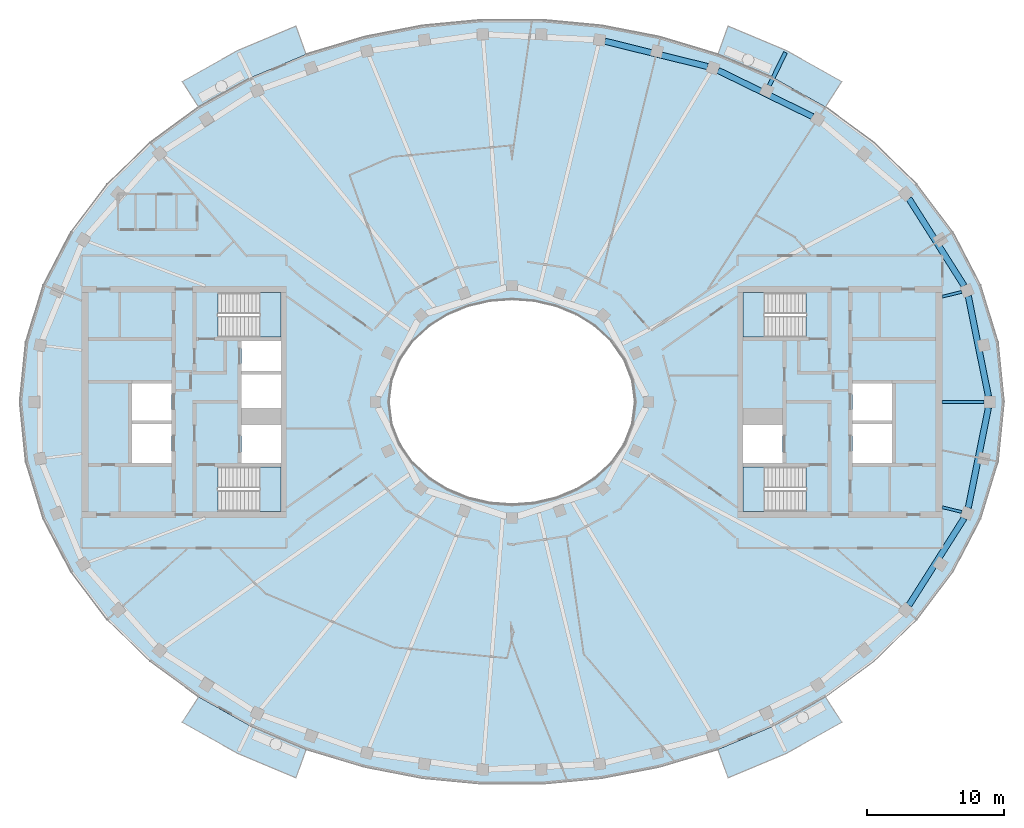
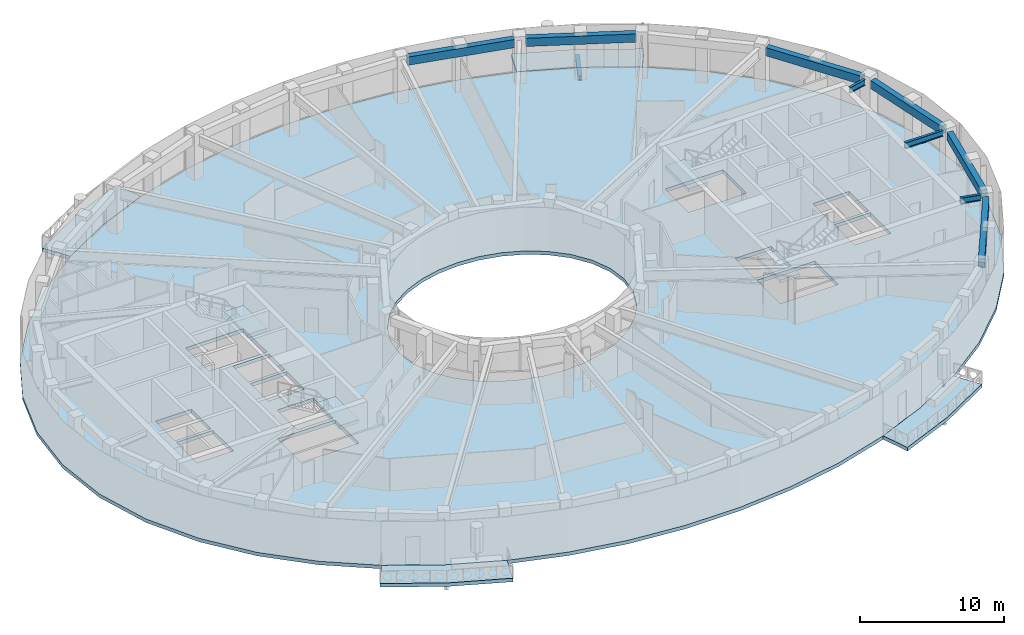
# One storey, part 2 of 18: 10 beams, 9 slabs, 4 elements without a shape of their own.
"""IFC4 building model written with IfcOpenShell, lengths in metres."""

from ifc_helpers import new_model, si_unit, direction, frame, origin, origin_2d, place, context, subcontext, project, spatial, polyline, rectangle, i_section, outline, extrude, material, layer, layer_set, material_profile, profile_set, type_object, element, aggregate, save


model = new_model("IFC4")

# Units and contexts
model_context = context("Model", 3, precision=1e-05, world=origin(), true_north=direction((0.0, 1.0)))
body_context = subcontext(model_context, "Body", "Model", "MODEL_VIEW")
ifc_project = project(units=[si_unit("LENGTHUNIT", "METRE"), si_unit("AREAUNIT", "SQUARE_METRE"), si_unit("VOLUMEUNIT", "CUBIC_METRE"), si_unit("PLANEANGLEUNIT", "RADIAN"), si_unit("MASSUNIT", "GRAM", prefix="KILO")], contexts=[model_context])

# Site, building, storey
site_placement = place(None, origin())
site = spatial("IfcSite", under=ifc_project, at=site_placement, CompositionType="ELEMENT")
building_placement = place(site_placement, origin())
building = spatial("IfcBuilding", under=site, at=building_placement, Name="Noorbagh Ring Tower", CompositionType="ELEMENT")
storey_placement = place(building_placement, frame((0.0, 0.0, 319.0)))
storey = spatial("IfcBuildingStorey", under=building, at=storey_placement, Name="L69", CompositionType="ELEMENT", Elevation=319.0)

# Beams
ifc_material_1 = material(Name="Steel S355", Category="steel")
ifc_material_profile_1 = material_profile(ifc_material_1, i_section(OverallWidth=0.300048828125, OverallDepth=0.39990234375, WebThickness=0.013427734375, FlangeThickness=0.02392578125, FilletRadius=0.027099609375, at=origin_2d()), Name="HEB400")
ifc_profile_set_1 = profile_set([ifc_material_profile_1], Name="Steel S355")
beam_type_1 = type_object("IfcBeamType", Name="STR-BALCONY-BRACKET-HEB400", PredefinedType="BEAM", material=ifc_profile_set_1)
beam_1_placement = place(storey_placement, frame((18.82421875, 23.149169921875, -0.5), z_axis=(0.439239321367, 0.898370089977, 0.0), x_axis=(-0.898370089977, 0.439239321367, 0.0)))
element("IfcBeam", 1, at=beam_1_placement, inside=storey, type_object=beam_type_1, Name="Balcony bracket beam BN02", PredefinedType="BEAM", context=body_context, shape_type="SweptSolid", body=[
    extrude(i_section(OverallWidth=0.300048828125, OverallDepth=0.39990234375, WebThickness=0.013427734375, FlangeThickness=0.02392578125, FilletRadius=0.027099609375, at=origin_2d()), origin(), (0.0, 0.0, 1.0), 2.7001953125),
])
ifc_material_2 = material(Name="Steel S355", Category="steel")
ifc_material_profile_2 = material_profile(ifc_material_2, i_section(OverallWidth=0.199951171875, OverallDepth=0.5, WebThickness=0.01025390625, FlangeThickness=0.01611328125, FilletRadius=0.02099609375, at=origin_2d()), Name="IPE500")
ifc_profile_set_2 = profile_set([ifc_material_profile_2], Name="Steel S355")
beam_type_2 = type_object("IfcBeamType", Name="STR-RAD-IPE500", PredefinedType="BEAM", material=ifc_profile_set_2)
beam_2_placement = place(storey_placement, frame((34.539794921875, 0.0, 3.449951171875), z_axis=(-1.0, 0.0, 0.0), x_axis=(0.0, -1.0, 0.0)))
element("IfcBeam", 2, at=beam_2_placement, inside=storey, type_object=beam_type_2, Name="L69/bm/RD01", PredefinedType="BEAM", context=body_context, shape_type="SweptSolid", body=[
    extrude(i_section(OverallWidth=0.199951171875, OverallDepth=0.5, WebThickness=0.01025390625, FlangeThickness=0.01611328125, FilletRadius=0.02099609375, at=origin_2d()), origin(), (0.0, 0.0, 1.0), 3.059814453125),
])
for number, where, z_axis, x_axis, name in (
    (3, (32.9072265625, 8.052001953125, 3.449951171875), (-0.971342749116, -0.237683116228, 0.0), (0.237683116228, -0.971342749116, 0.0), "L69/bm/RD03"),
    (4, (32.9072265625, -8.052001953125, 3.449951171875), (-0.971342749116, 0.237683116228, 0.0), (-0.237683116228, -0.971342749116, 0.0), "L69/bm/RD45"),
):
    element("IfcBeam", number, at=place(storey_placement, frame(where, z_axis=z_axis, x_axis=x_axis)), inside=storey, type_object=beam_type_2, Name=name, PredefinedType="BEAM", context=body_context, shape_type="SweptSolid", body=[
        extrude(i_section(OverallWidth=0.199951171875, OverallDepth=0.5, WebThickness=0.01025390625, FlangeThickness=0.01611328125, FilletRadius=0.02099609375, at=origin_2d()), origin(), (0.0, 0.0, 1.0), 1.46875),
    ])
ifc_material_3 = material(Name="Concrete C40/50", Category="concrete")
ifc_material_profile_3 = material_profile(ifc_material_3, rectangle(XDim=0.449951171875, YDim=0.699951171875, at=origin_2d()), Name="RC450x700")
ifc_profile_set_3 = profile_set([ifc_material_profile_3], Name="Concrete C40/50")
beam_type_3 = type_object("IfcBeamType", Name="STR-SB-RC450x700-C40-50", PredefinedType="BEAM", material=ifc_profile_set_3)
beam_3_placement = place(storey_placement, frame((34.863037109375, 0.4052734375, 3.35009765625), z_axis=(-0.197200970376, 0.980363084414, 0.0), x_axis=(-0.980363084414, -0.197200970376, 0.0)))
element("IfcBeam", 5, at=beam_3_placement, inside=storey, type_object=beam_type_3, Name="L69/bm/SP01", PredefinedType="BEAM", context=body_context, shape_type="SweptSolid", body=[
    extrude(rectangle(XDim=0.449951171875, YDim=0.699951171875, at=origin_2d()), origin(), (0.0, 0.0, 1.0), 7.486328125),
])
beam_4_placement = place(storey_placement, frame((33.0849609375, 8.4970703125, 3.35009765625), z_axis=(-0.535190354095, 0.844731486855, 0.0), x_axis=(-0.844731486855, -0.535190354095, 0.0)))
element("IfcBeam", 6, at=beam_4_placement, inside=storey, type_object=beam_type_3, Name="L69/bm/SP03", PredefinedType="BEAM", context=body_context, shape_type="SweptSolid", body=[
    extrude(rectangle(XDim=0.449951171875, YDim=0.699951171875, at=origin_2d()), origin(), (0.0, 0.0, 1.0), 7.560546875),
])
beam_5_placement = place(storey_placement, frame((21.99560546875, 20.879150390625, 3.35009765625), z_axis=(-0.898397700963, 0.439182844501, 0.0), x_axis=(-0.439182844501, -0.898397700963, 0.0)))
element("IfcBeam", 7, at=beam_5_placement, inside=storey, type_object=beam_type_3, Name="L69/bm/SP07", PredefinedType="BEAM", context=body_context, shape_type="SweptSolid", body=[
    extrude(rectangle(XDim=0.449951171875, YDim=0.699951171875, at=origin_2d()), origin(), (0.0, 0.0, 1.0), 7.70263671875),
])
beam_6_placement = place(storey_placement, frame((14.314208984375, 24.53857421875, 3.35009765625), z_axis=(-0.970829204931, 0.239772089397, 0.0), x_axis=(-0.239772089397, -0.970829204931, 0.0)))
element("IfcBeam", 8, at=beam_6_placement, inside=storey, type_object=beam_type_3, Name="L69/bm/SP09", PredefinedType="BEAM", context=body_context, shape_type="SweptSolid", body=[
    extrude(rectangle(XDim=0.449951171875, YDim=0.699951171875, at=origin_2d()), origin(), (0.0, 0.0, 1.0), 7.7353515625),
])
beam_7_placement = place(storey_placement, frame((29.03857421875, -14.8837890625, 3.35009765625), z_axis=(0.535190354095, 0.844731486855, 0.0), x_axis=(-0.844731486855, 0.535190354095, 0.0)))
element("IfcBeam", 9, at=beam_7_placement, inside=storey, type_object=beam_type_3, Name="L69/bm/SP43", PredefinedType="BEAM", context=body_context, shape_type="SweptSolid", body=[
    extrude(rectangle(XDim=0.449951171875, YDim=0.699951171875, at=origin_2d()), origin(), (0.0, 0.0, 1.0), 7.560546875),
])
beam_8_placement = place(storey_placement, frame((33.38671875, -7.74462890625, 3.35009765625), z_axis=(0.197200970376, 0.980363084414, 0.0), x_axis=(-0.980363084414, 0.197200970376, 0.0)))
element("IfcBeam", 10, at=beam_8_placement, inside=storey, type_object=beam_type_3, Name="L69/bm/SP45", PredefinedType="BEAM", context=body_context, shape_type="SweptSolid", body=[
    extrude(rectangle(XDim=0.449951171875, YDim=0.699951171875, at=origin_2d()), origin(), (0.0, 0.0, 1.0), 7.486328125),
])

# Stair, slab
ifc_material_4 = material(Name="Concrete C40/50", Category="concrete")
stair_type = type_object("IfcStairType", Name="CORE-STAIR", PredefinedType="HALF_TURN_STAIR", material=ifc_material_4)
stair_1_placement = place(storey_placement, origin())
stair_1 = element("IfcStair", 11, at=stair_1_placement, inside=storey, type_object=stair_type, Name="L69 Exit stair ST1", PredefinedType="HALF_TURN_STAIR")
ifc_material_5 = material(Name="Concrete C40/50", Category="concrete")
ifc_layer_1 = layer(ifc_material_5, 0.300048828125)
ifc_layer_set_1 = layer_set([ifc_layer_1], Name="Concrete C40/50")
slab_type_1 = type_object("IfcSlabType", Name="CORE-STAIR-LANDING", PredefinedType="LANDING", material=ifc_layer_set_1)
slab_1_placement = place(storey_placement, frame((0.0, 0.0, 1.699951171875)))
slab_1 = element("IfcSlab", 12, at=slab_1_placement, type_object=slab_type_1, Name="ST1 landing 1", PredefinedType="LANDING", context=body_context, shape_type="SweptSolid", body=[
    extrude(outline(polyline([(-18.449951171875, 4.75), (-16.89990234375, 4.75), (-16.89990234375, 8.0), (-18.449951171875, 8.0), (-18.449951171875, 4.75)])), origin(), (0.0, 0.0, 1.0), 0.300048828125),
])
aggregate(stair_1, [slab_1])

stair_2_placement = place(storey_placement, origin())
stair_2 = element("IfcStair", 13, at=stair_2_placement, inside=storey, type_object=stair_type, Name="L69 Exit stair ST2", PredefinedType="HALF_TURN_STAIR")
slab_2_placement = place(storey_placement, frame((0.0, 0.0, 1.699951171875)))
slab_2 = element("IfcSlab", 14, at=slab_2_placement, type_object=slab_type_1, Name="ST2 landing 1", PredefinedType="LANDING", context=body_context, shape_type="SweptSolid", body=[
    extrude(outline(polyline([(-18.449951171875, -8.0), (-16.89990234375, -8.0), (-16.89990234375, -4.75), (-18.449951171875, -4.75), (-18.449951171875, -8.0)])), origin(), (0.0, 0.0, 1.0), 0.300048828125),
])
aggregate(stair_2, [slab_2])

stair_3_placement = place(storey_placement, origin())
stair_3 = element("IfcStair", 15, at=stair_3_placement, inside=storey, type_object=stair_type, Name="L69 Exit stair ST3", PredefinedType="HALF_TURN_STAIR")
slab_3_placement = place(storey_placement, frame((0.0, 0.0, 1.699951171875)))
slab_3 = element("IfcSlab", 16, at=slab_3_placement, type_object=slab_type_1, Name="ST3 landing 1", PredefinedType="LANDING", context=body_context, shape_type="SweptSolid", body=[
    extrude(outline(polyline([(18.449951171875, 8.0), (16.89990234375, 8.0), (16.89990234375, 4.75), (18.449951171875, 4.75), (18.449951171875, 8.0)])), origin(), (0.0, 0.0, 1.0), 0.300048828125),
])
aggregate(stair_3, [slab_3])

stair_4_placement = place(storey_placement, origin())
stair_4 = element("IfcStair", 17, at=stair_4_placement, inside=storey, type_object=stair_type, Name="L69 Exit stair ST4", PredefinedType="HALF_TURN_STAIR")
slab_4_placement = place(storey_placement, frame((0.0, 0.0, 1.699951171875)))
slab_4 = element("IfcSlab", 18, at=slab_4_placement, type_object=slab_type_1, Name="ST4 landing 1", PredefinedType="LANDING", context=body_context, shape_type="SweptSolid", body=[
    extrude(outline(polyline([(18.449951171875, -4.75), (16.89990234375, -4.75), (16.89990234375, -8.0), (18.449951171875, -8.0), (18.449951171875, -4.75)])), origin(), (0.0, 0.0, 1.0), 0.300048828125),
])
aggregate(stair_4, [slab_4])

# Slabs
ifc_material_6 = material(Name="Concrete C40/50", Category="concrete")
ifc_layer_2 = layer(ifc_material_6, 0.300048828125)
ifc_layer_set_2 = layer_set([ifc_layer_2], Name="Concrete C40/50")
slab_type_2 = type_object("IfcSlabType", Name="ENV-BALCONY DECK 300", PredefinedType="FLOOR", material=ifc_layer_set_2)
slab_5_placement = place(storey_placement, frame((0.0, 0.0, -0.300048828125)))
element("IfcSlab", 19, at=slab_5_placement, inside=storey, type_object=slab_type_2, Name="Tree balcony deck BN02", PredefinedType="FLOOR", context=body_context, shape_type="SweptSolid", body=[
    extrude(outline(polyline([(24.1279296875, 23.435791015625), (20.076171875, 25.709716796875), (15.810791015625, 27.50341796875), (15.0654296875, 25.430419921875), (19.108154296875, 23.730224609375), (22.9326171875, 21.583740234375), (24.1279296875, 23.435791015625)])), origin(), (0.0, 0.0, 1.0), 0.300048828125),
])
slab_6_placement = place(storey_placement, frame((0.0, 0.0, -0.300048828125)))
element("IfcSlab", 20, at=slab_6_placement, inside=storey, type_object=slab_type_2, Name="Tree balcony deck BN05", PredefinedType="FLOOR", context=body_context, shape_type="SweptSolid", body=[
    extrude(outline(polyline([(-15.810791015625, 27.50341796875), (-20.076171875, 25.709716796875), (-24.1279296875, 23.435791015625), (-22.9326171875, 21.583740234375), (-19.108154296875, 23.730224609375), (-15.0654296875, 25.430419921875), (-15.810791015625, 27.50341796875)])), origin(), (0.0, 0.0, 1.0), 0.300048828125),
])
slab_7_placement = place(storey_placement, frame((0.0, 0.0, -0.300048828125)))
element("IfcSlab", 21, at=slab_7_placement, inside=storey, type_object=slab_type_2, Name="Tree balcony deck BS02", PredefinedType="FLOOR", context=body_context, shape_type="SweptSolid", body=[
    extrude(outline(polyline([(-24.1279296875, -23.435791015625), (-20.076171875, -25.709716796875), (-15.810791015625, -27.50341796875), (-15.0654296875, -25.430419921875), (-19.108154296875, -23.730224609375), (-22.9326171875, -21.583740234375), (-24.1279296875, -23.435791015625)])), origin(), (0.0, 0.0, 1.0), 0.300048828125),
])
slab_8_placement = place(storey_placement, frame((0.0, 0.0, -0.300048828125)))
element("IfcSlab", 22, at=slab_8_placement, inside=storey, type_object=slab_type_2, Name="Tree balcony deck BS05", PredefinedType="FLOOR", context=body_context, shape_type="SweptSolid", body=[
    extrude(outline(polyline([(15.810791015625, -27.50341796875), (20.076171875, -25.709716796875), (24.1279296875, -23.435791015625), (22.9326171875, -21.583740234375), (19.108154296875, -23.730224609375), (15.0654296875, -25.430419921875), (15.810791015625, -27.50341796875)])), origin(), (0.0, 0.0, 1.0), 0.300048828125),
])
ifc_material_7 = material(Name="Concrete C40/50", Category="concrete")
ifc_layer_3 = layer(ifc_material_7, 0.300048828125)
ifc_layer_set_3 = layer_set([ifc_layer_3], Name="Concrete C40/50")
slab_type_3 = type_object("IfcSlabType", Name="STR-FLOOR-DECK-300", PredefinedType="FLOOR", material=ifc_layer_set_3)
slab_9_placement = place(storey_placement, frame((0.0, 0.0, -0.300048828125)))
element("IfcSlab", 23, at=slab_9_placement, inside=storey, type_object=slab_type_3, Name="L69/slab/1", PredefinedType="FLOOR", context=body_context, shape_type="SweptSolid", body=[
    extrude(outline(polyline([(36.0, 0.0), (35.56103515625, 4.358642578125), (34.281005859375, 8.548828125), (32.255126953125, 12.434814453125), (29.607666015625, 15.92822265625), (26.463134765625, 18.983154296875), (22.9326171875, 21.583740234375), (19.108154296875, 23.730224609375), (15.0654296875, 25.430419921875), (10.865234375, 26.6943359375), (6.5595703125, 27.53125), (2.193115234375, 27.947998046875), (-2.193115234375, 27.947998046875), (-6.5595703125, 27.53125), (-10.865234375, 26.6943359375), (-15.0654296875, 25.430419921875), (-19.108154296875, 23.730224609375), (-22.9326171875, 21.583740234375), (-26.463134765625, 18.983154296875), (-29.607666015625, 15.92822265625), (-32.255126953125, 12.434814453125), (-34.281005859375, 8.548828125), (-35.56103515625, 4.358642578125), (-36.0, 0.0), (-35.56103515625, -4.358642578125), (-34.281005859375, -8.548828125), (-32.255126953125, -12.434814453125), (-29.607666015625, -15.92822265625), (-26.463134765625, -18.983154296875), (-22.9326171875, -21.583740234375), (-19.108154296875, -23.730224609375), (-15.0654296875, -25.430419921875), (-10.865234375, -26.6943359375), (-6.5595703125, -27.53125), (-2.193115234375, -27.947998046875), (2.193115234375, -27.947998046875), (6.5595703125, -27.53125), (10.865234375, -26.6943359375), (15.0654296875, -25.430419921875), (19.108154296875, -23.730224609375), (22.9326171875, -21.583740234375), (26.463134765625, -18.983154296875), (29.607666015625, -15.92822265625), (32.255126953125, -12.434814453125), (34.281005859375, -8.548828125), (35.56103515625, -4.358642578125), (36.0, 0.0)]), holes=[polyline([(24.89990234375, -1.60009765625), (27.800048828125, -1.60009765625), (27.800048828125, -4.449951171875), (24.89990234375, -4.449951171875), (24.89990234375, -1.60009765625)]), polyline([(24.89990234375, 1.35009765625), (27.800048828125, 1.35009765625), (27.800048828125, -1.35009765625), (24.89990234375, -1.35009765625), (24.89990234375, 1.35009765625)]), polyline([(21.529541015625, -8.0), (16.89990234375, -8.0), (16.89990234375, -4.75), (21.529541015625, -4.75), (21.529541015625, -8.0)]), polyline([(21.529541015625, 4.75), (16.89990234375, 4.75), (16.89990234375, 8.0), (21.529541015625, 8.0), (21.529541015625, 4.75)]), polyline([(16.89990234375, -1.699951171875), (19.800048828125, -1.699951171875), (19.800048828125, -4.449951171875), (16.89990234375, -4.449951171875), (16.89990234375, -1.699951171875)]), polyline([(4.697509765625, -6.3974609375), (3.196533203125, -7.010986328125), (1.6171875, -7.3779296875), (0.0, -7.5), (-1.6171875, -7.3779296875), (-3.196533203125, -7.010986328125), (-4.697509765625, -6.3974609375), (-6.071044921875, -5.53662109375), (-7.2587890625, -4.43408203125), (-8.1904296875, -3.10888671875), (-8.79150390625, -1.605224609375), (-9.0, 0.0), (-8.79150390625, 1.605224609375), (-8.1904296875, 3.10888671875), (-7.2587890625, 4.43408203125), (-6.071044921875, 5.53662109375), (-4.697509765625, 6.3974609375), (-3.196533203125, 7.010986328125), (-1.6171875, 7.3779296875), (0.0, 7.5), (1.6171875, 7.3779296875), (3.196533203125, 7.010986328125), (4.697509765625, 6.3974609375), (6.071044921875, 5.53662109375), (7.2587890625, 4.43408203125), (8.1904296875, 3.10888671875), (8.79150390625, 1.605224609375), (9.0, 0.0), (8.79150390625, -1.605224609375), (8.1904296875, -3.10888671875), (7.2587890625, -4.43408203125), (6.071044921875, -5.53662109375), (4.697509765625, -6.3974609375)]), polyline([(-21.529541015625, -8.0), (-21.529541015625, -4.75), (-16.89990234375, -4.75), (-16.89990234375, -8.0), (-21.529541015625, -8.0)]), polyline([(-21.529541015625, 4.75), (-21.529541015625, 8.0), (-16.89990234375, 8.0), (-16.89990234375, 4.75), (-21.529541015625, 4.75)]), polyline([(-16.89990234375, -4.449951171875), (-19.800048828125, -4.449951171875), (-19.800048828125, -1.699951171875), (-16.89990234375, -1.699951171875), (-16.89990234375, -4.449951171875)]), polyline([(-16.89990234375, -0.449951171875), (-19.800048828125, -0.449951171875), (-19.800048828125, 2.0), (-16.89990234375, 2.0), (-16.89990234375, -0.449951171875)]), polyline([(-16.89990234375, 2.25), (-19.800048828125, 2.25), (-19.800048828125, 4.449951171875), (-16.89990234375, 4.449951171875), (-16.89990234375, 2.25)]), polyline([(-24.89990234375, -4.449951171875), (-27.800048828125, -4.449951171875), (-27.800048828125, -1.60009765625), (-24.89990234375, -1.60009765625), (-24.89990234375, -4.449951171875)]), polyline([(-24.89990234375, 1.35009765625), (-24.89990234375, -1.35009765625), (-27.800048828125, -1.35009765625), (-27.800048828125, 1.35009765625), (-24.89990234375, 1.35009765625)])]), origin(), (0.0, 0.0, 1.0), 0.300048828125),
])

save(model, "model.ifc")
